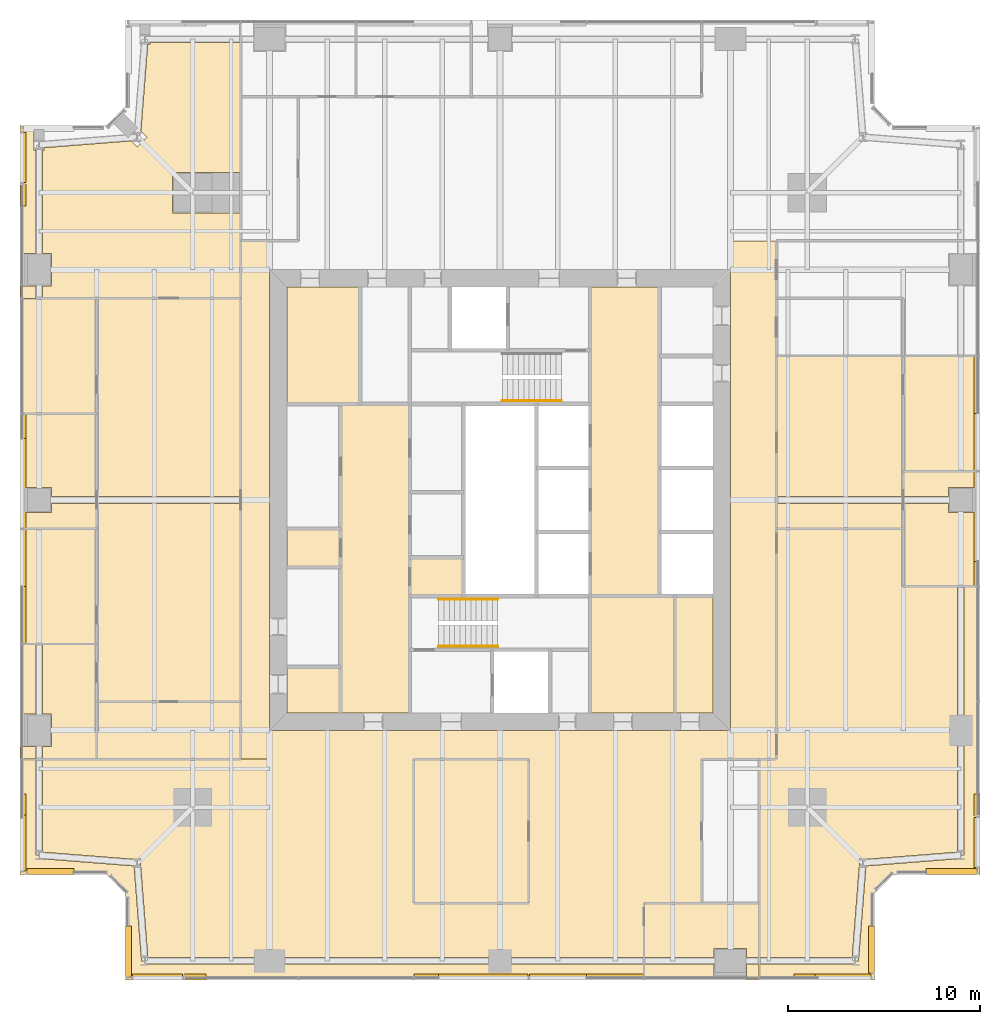
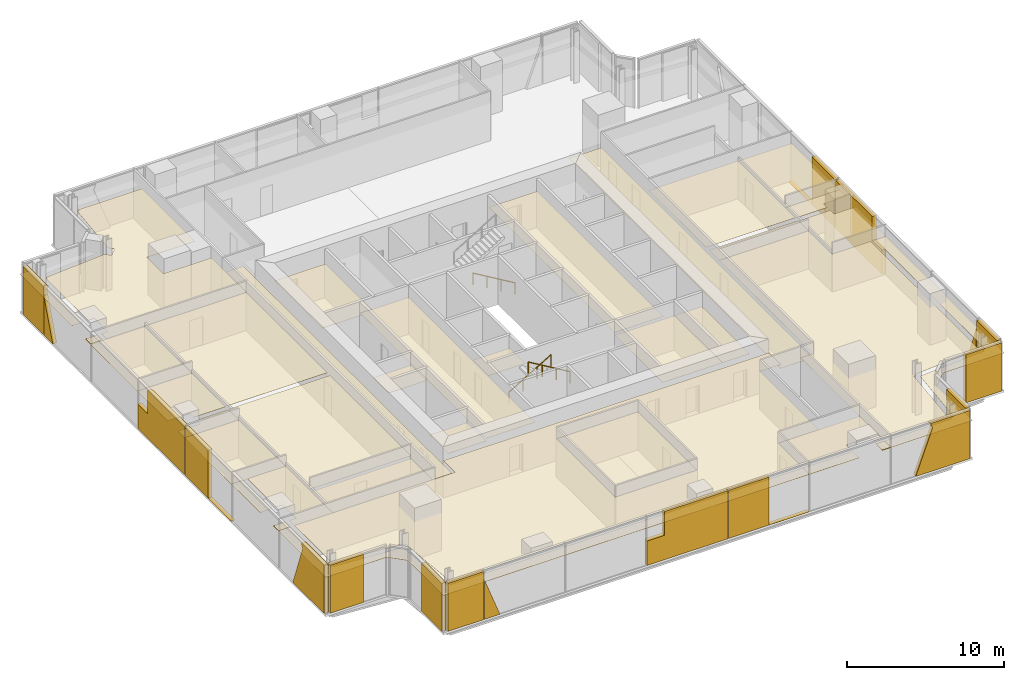
# One storey, part 13 of 16: 54 coverings, 3 railings.
"""IFC4 building model written with IfcOpenShell, lengths in metres."""

from ifc_helpers import new_model, si_unit, direction, frame, origin, origin_2d, place, context, subcontext, project, spatial, polyline, circle, outline, extrude, material, layer, layer_set, type_object, element, save


model = new_model("IFC4")

# Units and contexts
model_context = context("Model", 3, precision=1e-05, world=origin(), true_north=direction((0.0, 1.0)))
body_context = subcontext(model_context, "Body", "Model", "MODEL_VIEW")
ifc_project = project(units=[si_unit("LENGTHUNIT", "METRE"), si_unit("AREAUNIT", "SQUARE_METRE"), si_unit("VOLUMEUNIT", "CUBIC_METRE"), si_unit("PLANEANGLEUNIT", "RADIAN"), si_unit("MASSUNIT", "GRAM", prefix="KILO")], contexts=[model_context])

# Site, building, storey
site_placement = place(None, origin())
site = spatial("IfcSite", under=ifc_project, at=site_placement, CompositionType="ELEMENT")
building_placement = place(site_placement, origin())
building = spatial("IfcBuilding", under=site, at=building_placement, Name="Fenwick Lantern Interchange", CompositionType="ELEMENT")
storey_placement = place(building_placement, frame((0.0, 0.0, 181.800048828125)))
storey = spatial("IfcBuildingStorey", under=building, at=storey_placement, Name="L42", CompositionType="ELEMENT", Elevation=181.800048828125)

# Coverings
ifc_material_1 = material(Name="Mineral fibre acoustic tile on suspended grid")
ifc_layer_1 = layer(ifc_material_1, 0.02001953125)
ifc_layer_set_1 = layer_set([ifc_layer_1], Name="ACOUSTIC TILE CEILING 20")
covering_type_1 = type_object("IfcCoveringType", Name="ACOUSTIC TILE CEILING 20", PredefinedType="CEILING", material=ifc_layer_set_1)
covering_1_placement = place(storey_placement, frame((0.0, 0.0, 2.699951171875)))
element("IfcCovering", 1, at=covering_1_placement, inside=storey, type_object=covering_type_1, Name="Mail room ceiling", PredefinedType="CEILING", context=body_context, shape_type="SweptSolid", body=[
    extrude(outline(polyline([(13.89990234375, 21.5), (16.699951171875, 21.5), (16.699951171875, 23.5), (13.89990234375, 23.5), (13.89990234375, 21.5)])), origin(), (0.0, 0.0, 1.0), 0.02001953125),
])
covering_2_placement = place(storey_placement, frame((0.0, 0.0, 2.89990234375)))
element("IfcCovering", 2, at=covering_2_placement, inside=storey, type_object=covering_type_1, Name="Open office ceiling", PredefinedType="CEILING", context=body_context, shape_type="SweptSolid", body=[
    extrude(outline(polyline([(32.5, 4.0), (35.5, 4.0), (35.5, 11.5), (37.0, 11.5), (37.0, 13.0), (13.0, 13.0), (13.0, 11.5), (1.17236328125, 11.5), (1.17236328125, 6.659423828125), (6.113525390625, 6.27197265625), (6.10009765625, 6.10009765625), (6.27197265625, 6.113525390625), (6.659423828125, 1.17236328125), (13.0, 1.17236328125), (25.0, 1.17236328125), (32.5, 1.17236328125), (32.5, 4.0)]), holes=[polyline([(20.5, 11.5), (26.5, 11.5), (26.5, 4.0), (20.5, 4.0), (20.5, 11.5)])]), origin(), (0.0, 0.0, 1.0), 0.02001953125),
])
covering_3_placement = place(storey_placement, frame((0.0, 0.0, 2.89990234375)))
element("IfcCovering", 3, at=covering_3_placement, inside=storey, type_object=covering_type_1, Name="Open office ceiling", PredefinedType="CEILING", context=body_context, shape_type="SweptSolid", body=[
    extrude(outline(polyline([(32.5, 0.0), (32.5, 0.82763671875), (25.0, 0.82763671875), (13.0, 0.82763671875), (6.5, 0.82763671875), (6.5, 1.0), (6.328125, 0.986572265625), (5.939697265625, 5.939697265625), (0.986572265625, 6.328125), (1.0, 6.5), (0.82763671875, 6.5), (0.82763671875, 11.5), (0.0, 11.5), (0.0, 5.5), (4.5, 5.5), (5.5, 4.5), (5.5, 0.0), (32.5, 0.0)])), origin(), (0.0, 0.0, 1.0), 0.02001953125),
])
covering_4_placement = place(storey_placement, frame((0.0, 0.0, 2.89990234375)))
element("IfcCovering", 4, at=covering_4_placement, inside=storey, type_object=covering_type_1, Name="Meeting room ceiling", PredefinedType="CEILING", context=body_context, shape_type="SweptSolid", body=[
    extrude(outline(polyline([(20.5, 4.0), (26.5, 4.0), (26.5, 11.5), (20.5, 11.5), (20.5, 4.0)])), origin(), (0.0, 0.0, 1.0), 0.02001953125),
])
covering_5_placement = place(storey_placement, frame((0.0, 0.0, 2.89990234375)))
element("IfcCovering", 5, at=covering_5_placement, inside=storey, type_object=covering_type_1, Name="Office ceiling", PredefinedType="CEILING", context=body_context, shape_type="SweptSolid", body=[
    extrude(outline(polyline([(32.5, 4.0), (32.5, 1.17236328125), (36.14990234375, 1.17236328125), (36.14990234375, 1.64990234375), (37.85009765625, 1.64990234375), (37.85009765625, 1.17236328125), (38.5, 1.17236328125), (38.5, 4.0), (32.5, 4.0)])), origin(), (0.0, 0.0, 1.0), 0.02001953125),
])
covering_6_placement = place(storey_placement, frame((0.0, 0.0, 2.89990234375)))
element("IfcCovering", 6, at=covering_6_placement, inside=storey, type_object=covering_type_1, Name="Office ceiling", PredefinedType="CEILING", context=body_context, shape_type="SweptSolid", body=[
    extrude(outline(polyline([(32.5, 0.82763671875), (32.5, 0.0), (36.14990234375, 0.0), (36.14990234375, 0.82763671875), (32.5, 0.82763671875)])), origin(), (0.0, 0.0, 1.0), 0.02001953125),
])
covering_7_placement = place(storey_placement, frame((0.0, 0.0, 2.89990234375)))
element("IfcCovering", 7, at=covering_7_placement, inside=storey, type_object=covering_type_1, Name="Office ceiling", PredefinedType="CEILING", context=body_context, shape_type="SweptSolid", body=[
    extrude(outline(polyline([(38.5, 0.0), (38.5, 0.82763671875), (37.85009765625, 0.82763671875), (37.85009765625, 0.0), (38.5, 0.0)])), origin(), (0.0, 0.0, 1.0), 0.02001953125),
])
covering_8_placement = place(storey_placement, frame((0.0, 0.0, 2.8681640625)))
element("IfcCovering", 8, at=covering_8_placement, inside=storey, type_object=covering_type_1, Name="Meeting room ceiling", PredefinedType="CEILING", context=body_context, shape_type="SweptSolid", body=[
    extrude(outline(polyline([(46.0, 20.5), (50.0, 20.5), (50.0, 24.35009765625), (48.35009765625, 24.35009765625), (48.35009765625, 24.824951171875), (46.0, 24.824951171875), (46.0, 20.5)])), origin(), (0.0, 0.0, 1.0), 0.02001953125),
])
covering_9_placement = place(storey_placement, frame((0.0, 0.0, 2.8681640625)))
element("IfcCovering", 9, at=covering_9_placement, inside=storey, type_object=covering_type_1, Name="Meeting room ceiling", PredefinedType="CEILING", context=body_context, shape_type="SweptSolid", body=[
    extrude(outline(polyline([(46.0, 26.5), (46.0, 25.175048828125), (48.35009765625, 25.175048828125), (48.35009765625, 25.64990234375), (50.0, 25.64990234375), (50.0, 26.5), (46.0, 26.5)])), origin(), (0.0, 0.0, 1.0), 0.02001953125),
])
covering_10_placement = place(storey_placement, frame((0.0, 0.0, 2.8681640625)))
element("IfcCovering", 10, at=covering_10_placement, inside=storey, type_object=covering_type_1, Name="Meeting room ceiling", PredefinedType="CEILING", context=body_context, shape_type="SweptSolid", body=[
    extrude(outline(polyline([(50.0, 26.5), (50.0, 32.5), (46.0, 32.5), (46.0, 26.5), (50.0, 26.5)])), origin(), (0.0, 0.0, 1.0), 0.02001953125),
])
covering_11_placement = place(storey_placement, frame((0.0, 0.0, 2.89990234375)))
element("IfcCovering", 11, at=covering_11_placement, inside=storey, type_object=covering_type_1, Name="Open office ceiling", PredefinedType="CEILING", context=body_context, shape_type="SweptSolid", body=[
    extrude(outline(polyline([(11.5, 14.5), (11.5, 24.824951171875), (4.0, 24.824951171875), (4.0, 14.5), (11.5, 14.5)])), origin(), (0.0, 0.0, 1.0), 0.02001953125),
])
covering_12_placement = place(storey_placement, frame((0.0, 0.0, 2.89990234375)))
element("IfcCovering", 12, at=covering_12_placement, inside=storey, type_object=covering_type_1, Name="Open office ceiling", PredefinedType="CEILING", context=body_context, shape_type="SweptSolid", body=[
    extrude(outline(polyline([(11.5, 25.175048828125), (11.5, 35.5), (4.0, 35.5), (4.0, 25.175048828125), (11.5, 25.175048828125)])), origin(), (0.0, 0.0, 1.0), 0.02001953125),
])
covering_13_placement = place(storey_placement, frame((0.0, 0.0, 2.89990234375)))
element("IfcCovering", 13, at=covering_13_placement, inside=storey, type_object=covering_type_1, Name="Executive office ceiling", PredefinedType="CEILING", context=body_context, shape_type="SweptSolid", body=[
    extrude(outline(polyline([(6.76220703125, 48.71240234375), (6.650390625, 48.71240234375), (6.298095703125, 44.22216796875), (6.620361328125, 43.89990234375), (6.10009765625, 43.379638671875), (5.77783203125, 43.701904296875), (1.26220703125, 43.34765625), (1.26220703125, 43.21240234375), (1.17236328125, 43.21240234375), (1.17236328125, 37.85009765625), (1.64990234375, 37.85009765625), (1.64990234375, 36.14990234375), (1.17236328125, 36.14990234375), (1.17236328125, 35.5), (11.5, 35.5), (11.5, 39.949951171875), (7.949951171875, 39.949951171875), (7.949951171875, 42.050048828125), (11.5, 42.050048828125), (11.5, 48.82763671875), (6.76220703125, 48.82763671875), (6.76220703125, 48.71240234375)])), origin(), (0.0, 0.0, 1.0), 0.02001953125),
])
covering_14_placement = place(storey_placement, frame((0.0, 0.0, 2.89990234375)))
element("IfcCovering", 14, at=covering_14_placement, inside=storey, type_object=covering_type_1, Name="Executive office ceiling", PredefinedType="CEILING", context=body_context, shape_type="SweptSolid", body=[
    extrude(outline(polyline([(0.0, 37.85009765625), (0.82763671875, 37.85009765625), (0.82763671875, 43.21240234375), (0.73779296875, 43.21240234375), (0.73779296875, 44.5), (0.0, 44.5), (0.0, 37.85009765625)])), origin(), (0.0, 0.0, 1.0), 0.02001953125),
])
covering_15_placement = place(storey_placement, frame((0.0, 0.0, 2.89990234375)))
element("IfcCovering", 15, at=covering_15_placement, inside=storey, type_object=covering_type_1, Name="Executive office ceiling", PredefinedType="CEILING", context=body_context, shape_type="SweptSolid", body=[
    extrude(outline(polyline([(0.0, 35.5), (0.82763671875, 35.5), (0.82763671875, 36.14990234375), (0.0, 36.14990234375), (0.0, 35.5)])), origin(), (0.0, 0.0, 1.0), 0.02001953125),
])
covering_16_placement = place(storey_placement, frame((0.0, 0.0, 2.8681640625)))
element("IfcCovering", 16, at=covering_16_placement, inside=storey, type_object=covering_type_1, Name="Office ceiling", PredefinedType="CEILING", context=body_context, shape_type="SweptSolid", body=[
    extrude(outline(polyline([(0.0, 35.5), (0.0, 29.5), (4.0, 29.5), (4.0, 35.5), (0.0, 35.5)])), origin(), (0.0, 0.0, 1.0), 0.02001953125),
])
covering_17_placement = place(storey_placement, frame((0.0, 0.0, 2.8681640625)))
element("IfcCovering", 17, at=covering_17_placement, inside=storey, type_object=covering_type_1, Name="Office ceiling", PredefinedType="CEILING", context=body_context, shape_type="SweptSolid", body=[
    extrude(outline(polyline([(4.0, 29.5), (0.0, 29.5), (0.0, 25.64990234375), (1.64990234375, 25.64990234375), (1.64990234375, 25.175048828125), (4.0, 25.175048828125), (4.0, 29.5)])), origin(), (0.0, 0.0, 1.0), 0.02001953125),
])
covering_18_placement = place(storey_placement, frame((0.0, 0.0, 2.8681640625)))
element("IfcCovering", 18, at=covering_18_placement, inside=storey, type_object=covering_type_1, Name="Office ceiling", PredefinedType="CEILING", context=body_context, shape_type="SweptSolid", body=[
    extrude(outline(polyline([(4.0, 23.5), (4.0, 24.824951171875), (1.64990234375, 24.824951171875), (1.64990234375, 24.35009765625), (0.0, 24.35009765625), (0.0, 23.5), (4.0, 23.5)])), origin(), (0.0, 0.0, 1.0), 0.02001953125),
])
covering_19_placement = place(storey_placement, frame((0.0, 0.0, 2.8681640625)))
element("IfcCovering", 19, at=covering_19_placement, inside=storey, type_object=covering_type_1, Name="Office ceiling", PredefinedType="CEILING", context=body_context, shape_type="SweptSolid", body=[
    extrude(outline(polyline([(0.0, 23.5), (0.0, 17.5), (4.0, 17.5), (4.0, 23.5), (0.0, 23.5)])), origin(), (0.0, 0.0, 1.0), 0.02001953125),
])
covering_20_placement = place(storey_placement, frame((0.0, 0.0, 2.89990234375)))
element("IfcCovering", 20, at=covering_20_placement, inside=storey, type_object=covering_type_1, Name="Meeting room ceiling", PredefinedType="CEILING", context=body_context, shape_type="SweptSolid", body=[
    extrude(outline(polyline([(4.0, 17.5), (1.17236328125, 17.5), (1.17236328125, 13.85009765625), (1.64990234375, 13.85009765625), (1.64990234375, 12.14990234375), (1.17236328125, 12.14990234375), (1.17236328125, 11.5), (4.0, 11.5), (4.0, 17.5)])), origin(), (0.0, 0.0, 1.0), 0.02001953125),
])
covering_21_placement = place(storey_placement, frame((0.0, 0.0, 2.89990234375)))
element("IfcCovering", 21, at=covering_21_placement, inside=storey, type_object=covering_type_1, Name="Meeting room ceiling", PredefinedType="CEILING", context=body_context, shape_type="SweptSolid", body=[
    extrude(outline(polyline([(0.82763671875, 17.5), (0.0, 17.5), (0.0, 13.85009765625), (0.82763671875, 13.85009765625), (0.82763671875, 17.5)])), origin(), (0.0, 0.0, 1.0), 0.02001953125),
])
covering_22_placement = place(storey_placement, frame((0.0, 0.0, 2.89990234375)))
element("IfcCovering", 22, at=covering_22_placement, inside=storey, type_object=covering_type_1, Name="Meeting room ceiling", PredefinedType="CEILING", context=body_context, shape_type="SweptSolid", body=[
    extrude(outline(polyline([(0.0, 11.5), (0.82763671875, 11.5), (0.82763671875, 12.14990234375), (0.0, 12.14990234375), (0.0, 11.5)])), origin(), (0.0, 0.0, 1.0), 0.02001953125),
])
ifc_material_2 = material(Name="Granite cladding, warm grey flamed finish, on aluminium carrier frame", Category="masonry")
ifc_layer_2 = layer(ifc_material_2, 0.300048828125)
ifc_layer_set_2 = layer_set([ifc_layer_2], Name="BRACE CASING PANEL 300")
covering_type_2 = type_object("IfcCoveringType", Name="BRACE CASING PANEL 300", PredefinedType="CLADDING", material=ifc_layer_set_2)
covering_23_placement = place(storey_placement, frame((5.60009765625, 0.10009765625, 0.0), z_axis=(0.0, 0.0, 1.0), x_axis=(1.0, 0.0, 0.0)))
element("IfcCovering", 23, at=covering_23_placement, inside=storey, type_object=covering_type_2, Name="Brace casing 01 bay 00a", PredefinedType="CLADDING", context=body_context, shape_type="SweptSolid", body=[
    extrude(outline(polyline([(0.264892578125, 0.0), (2.867431640625, 0.0), (2.867431640625, 3.75), (0.264892578125, 3.75), (0.264892578125, 0.0)])), frame((0.0, 0.2001953125, 0.0), z_axis=(0.0, -1.0, 0.0), x_axis=(1.0, 0.0, 0.0)), (0.0, 0.0, 1.0), 0.300048828125),
])
covering_24_placement = place(storey_placement, frame((5.60009765625, 0.10009765625, 0.0), z_axis=(0.0, 0.0, 1.0), x_axis=(1.0, 0.0, 0.0)))
element("IfcCovering", 24, at=covering_24_placement, inside=storey, type_object=covering_type_2, Name="Brace casing 01 bay 01a", PredefinedType="CLADDING", context=body_context, shape_type="SweptSolid", body=[
    extrude(outline(polyline([(2.9326171875, 0.0), (4.08154296875, 0.0), (2.9326171875, 3.092041015625), (2.9326171875, 0.0)])), frame((0.0, 0.2001953125, 0.0), z_axis=(0.0, -1.0, 0.0), x_axis=(1.0, 0.0, 0.0)), (0.0, 0.0, 1.0), 0.300048828125),
])
covering_25_placement = place(storey_placement, frame((5.60009765625, 0.10009765625, 0.0), z_axis=(0.0, 0.0, 1.0), x_axis=(1.0, 0.0, 0.0)))
element("IfcCovering", 25, at=covering_25_placement, inside=storey, type_object=covering_type_2, Name="Brace casing 01 bay 03a", PredefinedType="CLADDING", context=body_context, shape_type="SweptSolid", body=[
    extrude(outline(polyline([(14.9326171875, 0.0), (20.867431640625, 0.0), (20.867431640625, 3.75), (16.197509765625, 3.75), (16.197509765625, 1.90771484375), (14.9326171875, 1.90771484375), (14.9326171875, 0.0)])), frame((0.0, 0.2001953125, 0.0), z_axis=(0.0, -1.0, 0.0), x_axis=(1.0, 0.0, 0.0)), (0.0, 0.0, 1.0), 0.300048828125),
])
covering_26_placement = place(storey_placement, frame((5.60009765625, 0.10009765625, 0.0), z_axis=(0.0, 0.0, 1.0), x_axis=(1.0, 0.0, 0.0)))
element("IfcCovering", 26, at=covering_26_placement, inside=storey, type_object=covering_type_2, Name="Brace casing 01 bay 04a", PredefinedType="CLADDING", context=body_context, shape_type="SweptSolid", body=[
    extrude(outline(polyline([(20.9326171875, 0.0), (26.867431640625, 0.0), (26.867431640625, 0.001953125), (23.909912109375, 0.001953125), (23.909912109375, 3.75), (20.9326171875, 3.75), (20.9326171875, 0.0)])), frame((0.0, 0.2001953125, 0.0), z_axis=(0.0, -1.0, 0.0), x_axis=(1.0, 0.0, 0.0)), (0.0, 0.0, 1.0), 0.300048828125),
])
covering_27_placement = place(storey_placement, frame((5.60009765625, 0.10009765625, 0.0), z_axis=(0.0, 0.0, 1.0), x_axis=(1.0, 0.0, 0.0)))
element("IfcCovering", 27, at=covering_27_placement, inside=storey, type_object=covering_type_2, Name="Brace casing 01 bay 06a", PredefinedType="CLADDING", context=body_context, shape_type="SweptSolid", body=[
    extrude(outline(polyline([(34.718505859375, 0.0), (38.735107421875, 0.0), (38.735107421875, 3.75), (35.8125, 3.75), (35.968994140625, 3.364990234375), (34.718505859375, 0.0)])), frame((0.0, 0.2001953125, 0.0), z_axis=(0.0, -1.0, 0.0), x_axis=(1.0, 0.0, 0.0)), (0.0, 0.0, 1.0), 0.300048828125),
])
covering_28_placement = place(storey_placement, frame((44.39990234375, 0.10009765625, 0.0), z_axis=(0.0, 0.0, 1.0), x_axis=(0.0, 1.0, 0.0)))
element("IfcCovering", 28, at=covering_28_placement, inside=storey, type_object=covering_type_2, Name="Brace casing 02 bay 00a", PredefinedType="CLADDING", context=body_context, shape_type="SweptSolid", body=[
    extrude(outline(polyline([(0.264892578125, 0.0), (2.699951171875, 0.0), (2.699951171875, 3.75), (0.264892578125, 3.75), (0.264892578125, 0.0)])), frame((0.0, 0.2001953125, 0.0), z_axis=(0.0, -1.0, 0.0), x_axis=(1.0, 0.0, 0.0)), (0.0, 0.0, 1.0), 0.300048828125),
])
covering_29_placement = place(storey_placement, frame((45.45849609375, 5.60009765625, 0.0), z_axis=(0.0, 0.0, 1.0), x_axis=(1.0, 0.0, 0.0)))
element("IfcCovering", 29, at=covering_29_placement, inside=storey, type_object=covering_type_2, Name="Brace casing 04 bay 00a", PredefinedType="CLADDING", context=body_context, shape_type="SweptSolid", body=[
    extrude(outline(polyline([(1.741455078125, 0.0), (4.37646484375, 0.0), (4.37646484375, 3.75), (1.741455078125, 3.75), (1.741455078125, 0.0)])), frame((0.0, 0.2001953125, 0.0), z_axis=(0.0, -1.0, 0.0), x_axis=(1.0, 0.0, 0.0)), (0.0, 0.0, 1.0), 0.300048828125),
])
covering_30_placement = place(storey_placement, frame((49.89990234375, 5.60009765625, 0.0), z_axis=(0.0, 0.0, 1.0), x_axis=(0.0, 1.0, 0.0)))
element("IfcCovering", 30, at=covering_30_placement, inside=storey, type_object=covering_type_2, Name="Brace casing 05 bay 00a", PredefinedType="CLADDING", context=body_context, shape_type="SweptSolid", body=[
    extrude(outline(polyline([(0.264892578125, 0.0), (2.867431640625, 0.0), (2.867431640625, 3.75), (0.264892578125, 3.75), (0.264892578125, 0.0)])), frame((0.0, 0.2001953125, 0.0), z_axis=(0.0, -1.0, 0.0), x_axis=(1.0, 0.0, 0.0)), (0.0, 0.0, 1.0), 0.300048828125),
])
covering_31_placement = place(storey_placement, frame((49.89990234375, 5.60009765625, 0.0), z_axis=(0.0, 0.0, 1.0), x_axis=(0.0, 1.0, 0.0)))
element("IfcCovering", 31, at=covering_31_placement, inside=storey, type_object=covering_type_2, Name="Brace casing 05 bay 01a", PredefinedType="CLADDING", context=body_context, shape_type="SweptSolid", body=[
    extrude(outline(polyline([(2.9326171875, 0.0), (4.08154296875, 0.0), (2.9326171875, 3.092041015625), (2.9326171875, 0.0)])), frame((0.0, 0.2001953125, 0.0), z_axis=(0.0, -1.0, 0.0), x_axis=(1.0, 0.0, 0.0)), (0.0, 0.0, 1.0), 0.300048828125),
])
covering_32_placement = place(storey_placement, frame((49.89990234375, 5.60009765625, 0.0), z_axis=(0.0, 0.0, 1.0), x_axis=(0.0, 1.0, 0.0)))
element("IfcCovering", 32, at=covering_32_placement, inside=storey, type_object=covering_type_2, Name="Brace casing 05 bay 03a", PredefinedType="CLADDING", context=body_context, shape_type="SweptSolid", body=[
    extrude(outline(polyline([(14.9326171875, 0.0), (20.867431640625, 0.0), (20.867431640625, 3.75), (16.197509765625, 3.75), (16.197509765625, 1.90771484375), (14.9326171875, 1.90771484375), (14.9326171875, 0.0)])), frame((0.0, 0.2001953125, 0.0), z_axis=(0.0, -1.0, 0.0), x_axis=(1.0, 0.0, 0.0)), (0.0, 0.0, 1.0), 0.300048828125),
])
covering_33_placement = place(storey_placement, frame((49.89990234375, 5.60009765625, 0.0), z_axis=(0.0, 0.0, 1.0), x_axis=(0.0, 1.0, 0.0)))
element("IfcCovering", 33, at=covering_33_placement, inside=storey, type_object=covering_type_2, Name="Brace casing 05 bay 04a", PredefinedType="CLADDING", context=body_context, shape_type="SweptSolid", body=[
    extrude(outline(polyline([(20.9326171875, 0.0), (26.867431640625, 0.0), (26.867431640625, 0.001953125), (23.909912109375, 0.001953125), (23.909912109375, 3.75), (20.9326171875, 3.75), (20.9326171875, 0.0)])), frame((0.0, 0.2001953125, 0.0), z_axis=(0.0, -1.0, 0.0), x_axis=(1.0, 0.0, 0.0)), (0.0, 0.0, 1.0), 0.300048828125),
])
covering_34_placement = place(storey_placement, frame((0.10009765625, 44.39990234375, 0.0), z_axis=(0.0, 0.0, 1.0), x_axis=(0.0, -1.0, 0.0)))
element("IfcCovering", 34, at=covering_34_placement, inside=storey, type_object=covering_type_2, Name="Brace casing 13 bay 00a", PredefinedType="CLADDING", context=body_context, shape_type="SweptSolid", body=[
    extrude(outline(polyline([(0.264892578125, 0.0), (2.867431640625, 0.0), (2.867431640625, 3.75), (0.264892578125, 3.75), (0.264892578125, 0.0)])), frame((0.0, 0.2001953125, 0.0), z_axis=(0.0, -1.0, 0.0), x_axis=(1.0, 0.0, 0.0)), (0.0, 0.0, 1.0), 0.300048828125),
])
covering_35_placement = place(storey_placement, frame((0.10009765625, 44.39990234375, 0.0), z_axis=(0.0, 0.0, 1.0), x_axis=(0.0, -1.0, 0.0)))
element("IfcCovering", 35, at=covering_35_placement, inside=storey, type_object=covering_type_2, Name="Brace casing 13 bay 01a", PredefinedType="CLADDING", context=body_context, shape_type="SweptSolid", body=[
    extrude(outline(polyline([(2.9326171875, 0.0), (4.08154296875, 0.0), (2.9326171875, 3.092041015625), (2.9326171875, 0.0)])), frame((0.0, 0.2001953125, 0.0), z_axis=(0.0, -1.0, 0.0), x_axis=(1.0, 0.0, 0.0)), (0.0, 0.0, 1.0), 0.300048828125),
])
covering_36_placement = place(storey_placement, frame((0.10009765625, 44.39990234375, 0.0), z_axis=(0.0, 0.0, 1.0), x_axis=(0.0, -1.0, 0.0)))
element("IfcCovering", 36, at=covering_36_placement, inside=storey, type_object=covering_type_2, Name="Brace casing 13 bay 03a", PredefinedType="CLADDING", context=body_context, shape_type="SweptSolid", body=[
    extrude(outline(polyline([(14.9326171875, 0.0), (20.867431640625, 0.0), (20.867431640625, 3.75), (16.197509765625, 3.75), (16.197509765625, 1.90771484375), (14.9326171875, 1.90771484375), (14.9326171875, 0.0)])), frame((0.0, 0.2001953125, 0.0), z_axis=(0.0, -1.0, 0.0), x_axis=(1.0, 0.0, 0.0)), (0.0, 0.0, 1.0), 0.300048828125),
])
covering_37_placement = place(storey_placement, frame((0.10009765625, 44.39990234375, 0.0), z_axis=(0.0, 0.0, 1.0), x_axis=(0.0, -1.0, 0.0)))
element("IfcCovering", 37, at=covering_37_placement, inside=storey, type_object=covering_type_2, Name="Brace casing 13 bay 04a", PredefinedType="CLADDING", context=body_context, shape_type="SweptSolid", body=[
    extrude(outline(polyline([(20.9326171875, 0.0), (26.867431640625, 0.0), (26.867431640625, 0.001953125), (23.909912109375, 0.001953125), (23.909912109375, 3.75), (20.9326171875, 3.75), (20.9326171875, 0.0)])), frame((0.0, 0.2001953125, 0.0), z_axis=(0.0, -1.0, 0.0), x_axis=(1.0, 0.0, 0.0)), (0.0, 0.0, 1.0), 0.300048828125),
])
covering_38_placement = place(storey_placement, frame((0.10009765625, 44.39990234375, 0.0), z_axis=(0.0, 0.0, 1.0), x_axis=(0.0, -1.0, 0.0)))
element("IfcCovering", 38, at=covering_38_placement, inside=storey, type_object=covering_type_2, Name="Brace casing 13 bay 06a", PredefinedType="CLADDING", context=body_context, shape_type="SweptSolid", body=[
    extrude(outline(polyline([(34.718505859375, 0.0), (38.735107421875, 0.0), (38.735107421875, 3.75), (35.8125, 3.75), (35.968994140625, 3.364990234375), (34.718505859375, 0.0)])), frame((0.0, 0.2001953125, 0.0), z_axis=(0.0, -1.0, 0.0), x_axis=(1.0, 0.0, 0.0)), (0.0, 0.0, 1.0), 0.300048828125),
])
covering_39_placement = place(storey_placement, frame((0.10009765625, 5.60009765625, 0.0), z_axis=(0.0, 0.0, 1.0), x_axis=(1.0, 0.0, 0.0)))
element("IfcCovering", 39, at=covering_39_placement, inside=storey, type_object=covering_type_2, Name="Brace casing 14 bay 00a", PredefinedType="CLADDING", context=body_context, shape_type="SweptSolid", body=[
    extrude(outline(polyline([(0.264892578125, 0.0), (2.699951171875, 0.0), (2.699951171875, 3.75), (0.264892578125, 3.75), (0.264892578125, 0.0)])), frame((0.0, 0.2001953125, 0.0), z_axis=(0.0, -1.0, 0.0), x_axis=(1.0, 0.0, 0.0)), (0.0, 0.0, 1.0), 0.300048828125),
])
covering_40_placement = place(storey_placement, frame((5.60009765625, 4.54150390625, 0.0), z_axis=(0.0, 0.0, 1.0), x_axis=(0.0, -1.0, 0.0)))
element("IfcCovering", 40, at=covering_40_placement, inside=storey, type_object=covering_type_2, Name="Brace casing 16 bay 00a", PredefinedType="CLADDING", context=body_context, shape_type="SweptSolid", body=[
    extrude(outline(polyline([(1.741455078125, 0.0), (4.37646484375, 0.0), (4.37646484375, 3.75), (1.741455078125, 3.75), (1.741455078125, 0.0)])), frame((0.0, 0.2001953125, 0.0), z_axis=(0.0, -1.0, 0.0), x_axis=(1.0, 0.0, 0.0)), (0.0, 0.0, 1.0), 0.300048828125),
])

# Railings
ifc_material_3 = material(Name="Stainless steel handrail", Category="steel")
railing_type = type_object("IfcRailingType", Name="HANDRAIL 900", PredefinedType="HANDRAIL", material=ifc_material_3)
railing_placement = place(storey_placement, frame((21.800048828125, 19.825927734375, 0.16650390625)))
element("IfcRailing", 41, at=railing_placement, inside=storey, type_object=railing_type, Name="L42/STAIR/ST1/HR1", PredefinedType="HANDRAIL", context=body_context, shape_type="SweptSolid", body=[
    extrude(circle(Radius=0.02392578125, at=origin_2d()), frame((0.0, 0.0, 0.8759765625), z_axis=(0.859260807169, 0.0, 0.511537745687), x_axis=(0.0, 1.0, 0.0)), (0.0, 0.0, 1.0), 3.584228515625),
    extrude(circle(Radius=0.02099609375, at=origin_2d()), origin(), (0.0, 0.0, 1.0), 0.851806640625),
    extrude(circle(Radius=0.02099609375, at=origin_2d()), frame((1.026611328125, 0.0, 0.611083984375)), (0.0, 0.0, 1.0), 0.851806640625),
    extrude(circle(Radius=0.02099609375, at=origin_2d()), frame((2.05322265625, 0.0, 1.222412109375)), (0.0, 0.0, 1.0), 0.851806640625),
    extrude(circle(Radius=0.02099609375, at=origin_2d()), frame((3.079833984375, 0.0, 1.83349609375)), (0.0, 0.0, 1.0), 0.851806640625),
])
for number, where, name in (
    (42, (24.8798828125, 17.3740234375, 2.16650390625), "L42/STAIR/ST1/HR2"),
    (43, (28.199951171875, 30.174072265625, 0.16650390625), "L42/STAIR/ST2/HR1"),
):
    element("IfcRailing", number, at=place(storey_placement, frame(where)), inside=storey, type_object=railing_type, Name=name, PredefinedType="HANDRAIL", context=body_context, shape_type="SweptSolid", body=[
        extrude(circle(Radius=0.02392578125, at=origin_2d()), frame((0.0, 0.0, 0.8759765625), z_axis=(-0.859260807169, 0.0, 0.511537745687), x_axis=(0.0, -1.0, 0.0)), (0.0, 0.0, 1.0), 3.584228515625),
        extrude(circle(Radius=0.02099609375, at=origin_2d()), origin(), (0.0, 0.0, 1.0), 0.851806640625),
        extrude(circle(Radius=0.02099609375, at=origin_2d()), frame((-1.026611328125, 0.0, 0.611083984375)), (0.0, 0.0, 1.0), 0.851806640625),
        extrude(circle(Radius=0.02099609375, at=origin_2d()), frame((-2.05322265625, 0.0, 1.222412109375)), (0.0, 0.0, 1.0), 0.851806640625),
        extrude(circle(Radius=0.02099609375, at=origin_2d()), frame((-3.079833984375, 0.0, 1.83349609375)), (0.0, 0.0, 1.0), 0.851806640625),
    ])

# Coverings
ifc_material_4 = material(Name="Moisture resistant gypsum board on suspended frame, painted")
ifc_layer_3 = layer(ifc_material_4, 0.014892578125)
ifc_layer_set_3 = layer_set([ifc_layer_3], Name="MOISTURE RESISTANT CEILING 15")
covering_type_3 = type_object("IfcCoveringType", Name="MOISTURE RESISTANT CEILING 15", PredefinedType="CEILING", material=ifc_layer_set_3)
covering_41_placement = place(storey_placement, frame((0.0, 0.0, 2.599853515625)))
element("IfcCovering", 44, at=covering_41_placement, inside=storey, type_object=covering_type_3, Name="Women's WC ceiling", PredefinedType="CEILING", context=body_context, shape_type="SweptSolid", body=[
    extrude(outline(polyline([(29.699951171875, 13.89990234375), (34.10009765625, 13.89990234375), (34.10009765625, 20.0), (29.699951171875, 20.0), (29.699951171875, 13.89990234375)])), origin(), (0.0, 0.0, 1.0), 0.01513671875),
])
covering_42_placement = place(storey_placement, frame((0.0, 0.0, 2.599853515625)))
element("IfcCovering", 45, at=covering_42_placement, inside=storey, type_object=covering_type_3, Name="Men's WC ceiling", PredefinedType="CEILING", context=body_context, shape_type="SweptSolid", body=[
    extrude(outline(polyline([(34.10009765625, 13.89990234375), (36.10009765625, 13.89990234375), (36.10009765625, 20.0), (34.10009765625, 20.0), (34.10009765625, 13.89990234375)])), origin(), (0.0, 0.0, 1.0), 0.01513671875),
])
covering_43_placement = place(storey_placement, frame((0.0, 0.0, 2.599853515625)))
element("IfcCovering", 46, at=covering_43_placement, inside=storey, type_object=covering_type_3, Name="Accessible WC ceiling", PredefinedType="CEILING", context=body_context, shape_type="SweptSolid", body=[
    extrude(outline(polyline([(13.89990234375, 13.89990234375), (16.699951171875, 13.89990234375), (16.699951171875, 16.300048828125), (13.89990234375, 16.300048828125), (13.89990234375, 13.89990234375)])), origin(), (0.0, 0.0, 1.0), 0.01513671875),
])
covering_44_placement = place(storey_placement, frame((0.0, 0.0, 2.699951171875)))
element("IfcCovering", 47, at=covering_44_placement, inside=storey, type_object=covering_type_3, Name="Pantry ceiling", PredefinedType="CEILING", context=body_context, shape_type="SweptSolid", body=[
    extrude(outline(polyline([(20.300048828125, 20.0), (23.10009765625, 20.0), (23.10009765625, 22.0), (20.300048828125, 22.0), (20.300048828125, 20.0)])), origin(), (0.0, 0.0, 1.0), 0.014892578125),
])
covering_45_placement = place(storey_placement, frame((0.0, 0.0, 2.599853515625)))
element("IfcCovering", 48, at=covering_45_placement, inside=storey, type_object=covering_type_3, Name="Women's WC ceiling", PredefinedType="CEILING", context=body_context, shape_type="SweptSolid", body=[
    extrude(outline(polyline([(17.699951171875, 36.10009765625), (13.89990234375, 36.10009765625), (13.89990234375, 30.0), (17.699951171875, 30.0), (17.699951171875, 36.10009765625)])), origin(), (0.0, 0.0, 1.0), 0.01513671875),
])
covering_46_placement = place(storey_placement, frame((0.0, 0.0, 2.699951171875)))
element("IfcCovering", 49, at=covering_46_placement, inside=storey, type_object=covering_type_3, Name="Pantry ceiling", PredefinedType="CEILING", context=body_context, shape_type="SweptSolid", body=[
    extrude(outline(polyline([(4.0, 14.5), (4.0, 11.5), (11.5, 11.5), (11.5, 14.5), (4.0, 14.5)])), origin(), (0.0, 0.0, 1.0), 0.014892578125),
])
ifc_material_5 = material(Name="Gypsum plasterboard on suspended frame, painted")
ifc_layer_4 = layer(ifc_material_5, 0.014892578125)
ifc_layer_set_4 = layer_set([ifc_layer_4], Name="PLASTERBOARD CEILING 15")
covering_type_4 = type_object("IfcCoveringType", Name="PLASTERBOARD CEILING 15", PredefinedType="CEILING", material=ifc_layer_set_4)
covering_47_placement = place(storey_placement, frame((0.0, 0.0, 2.800048828125)))
element("IfcCovering", 50, at=covering_47_placement, inside=storey, type_object=covering_type_4, Name="Lift lobby ceiling", PredefinedType="CEILING", context=body_context, shape_type="SweptSolid", body=[
    extrude(outline(polyline([(16.699951171875, 13.89990234375), (20.300048828125, 13.89990234375), (20.300048828125, 30.0), (16.699951171875, 30.0), (16.699951171875, 13.89990234375)])), origin(), (0.0, 0.0, 1.0), 0.014892578125),
])
covering_48_placement = place(storey_placement, frame((0.0, 0.0, 2.800048828125)))
element("IfcCovering", 51, at=covering_48_placement, inside=storey, type_object=covering_type_4, Name="Lift lobby ceiling", PredefinedType="CEILING", context=body_context, shape_type="SweptSolid", body=[
    extrude(outline(polyline([(33.300048828125, 36.10009765625), (29.699951171875, 36.10009765625), (29.699951171875, 20.0), (33.300048828125, 20.0), (33.300048828125, 36.10009765625)])), origin(), (0.0, 0.0, 1.0), 0.014892578125),
])
covering_49_placement = place(storey_placement, frame((0.0, 0.0, 2.599853515625)))
element("IfcCovering", 52, at=covering_49_placement, inside=storey, type_object=covering_type_4, Name="Corridor ceiling", PredefinedType="CEILING", context=body_context, shape_type="SweptSolid", body=[
    extrude(outline(polyline([(13.0, 38.5), (11.5, 38.5), (11.5, 11.5), (13.0, 11.5), (13.0, 38.5)])), origin(), (0.0, 0.0, 1.0), 0.01513671875),
])
covering_50_placement = place(storey_placement, frame((0.0, 0.0, 2.89990234375)))
element("IfcCovering", 53, at=covering_50_placement, inside=storey, type_object=covering_type_4, Name="Reception ceiling", PredefinedType="CEILING", context=body_context, shape_type="SweptSolid", body=[
    extrude(outline(polyline([(39.39990234375, 32.5), (39.39990234375, 25.175048828125), (46.0, 25.175048828125), (46.0, 32.5), (39.39990234375, 32.5)])), origin(), (0.0, 0.0, 1.0), 0.01513671875),
])
covering_51_placement = place(storey_placement, frame((0.0, 0.0, 2.89990234375)))
element("IfcCovering", 54, at=covering_51_placement, inside=storey, type_object=covering_type_4, Name="Reception ceiling", PredefinedType="CEILING", context=body_context, shape_type="SweptSolid", body=[
    extrude(outline(polyline([(39.39990234375, 23.5), (46.0, 23.5), (46.0, 24.824951171875), (39.39990234375, 24.824951171875), (39.39990234375, 23.5)])), origin(), (0.0, 0.0, 1.0), 0.01513671875),
])
covering_52_placement = place(storey_placement, frame((0.0, 0.0, 2.89990234375)))
element("IfcCovering", 55, at=covering_52_placement, inside=storey, type_object=covering_type_4, Name="Client lounge ceiling", PredefinedType="CEILING", context=body_context, shape_type="SweptSolid", body=[
    extrude(outline(polyline([(38.5, 11.5), (38.5, 1.17236328125), (43.340576171875, 1.17236328125), (43.72802734375, 6.113525390625), (43.89990234375, 6.10009765625), (43.886474609375, 6.27197265625), (48.82763671875, 6.659423828125), (48.82763671875, 13.0), (48.82763671875, 20.5), (46.0, 20.5), (46.0, 23.5), (39.39990234375, 23.5), (39.39990234375, 11.5), (38.5, 11.5)])), origin(), (0.0, 0.0, 1.0), 0.01513671875),
])
covering_53_placement = place(storey_placement, frame((0.0, 0.0, 2.89990234375)))
element("IfcCovering", 56, at=covering_53_placement, inside=storey, type_object=covering_type_4, Name="Client lounge ceiling", PredefinedType="CEILING", context=body_context, shape_type="SweptSolid", body=[
    extrude(outline(polyline([(50.0, 5.5), (50.0, 20.5), (49.17236328125, 20.5), (49.17236328125, 13.0), (49.17236328125, 6.5), (49.0, 6.5), (49.013427734375, 6.328125), (44.060302734375, 5.939697265625), (43.671875, 0.986572265625), (43.5, 1.0), (43.5, 0.82763671875), (38.5, 0.82763671875), (38.5, 0.0), (44.5, 0.0), (44.5, 4.5), (45.5, 5.5), (50.0, 5.5)])), origin(), (0.0, 0.0, 1.0), 0.01513671875),
])
covering_54_placement = place(storey_placement, frame((0.0, 0.0, 2.599853515625)))
element("IfcCovering", 57, at=covering_54_placement, inside=storey, type_object=covering_type_4, Name="Corridor ceiling", PredefinedType="CEILING", context=body_context, shape_type="SweptSolid", body=[
    extrude(outline(polyline([(39.39990234375, 38.5), (37.0, 38.5), (37.0, 11.5), (39.39990234375, 11.5), (39.39990234375, 38.5)])), origin(), (0.0, 0.0, 1.0), 0.01513671875),
])

save(model, "model.ifc")
